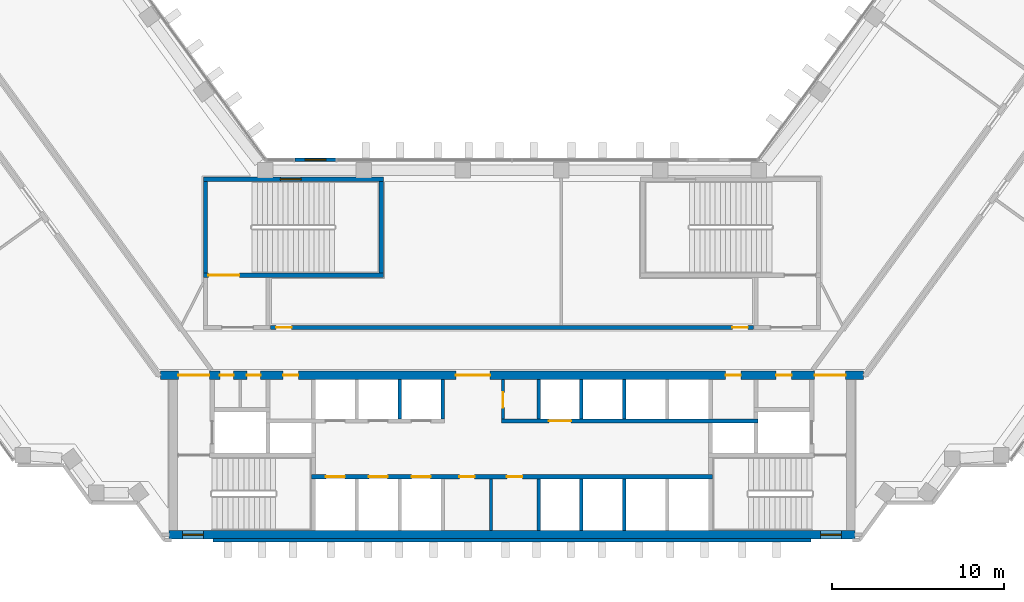
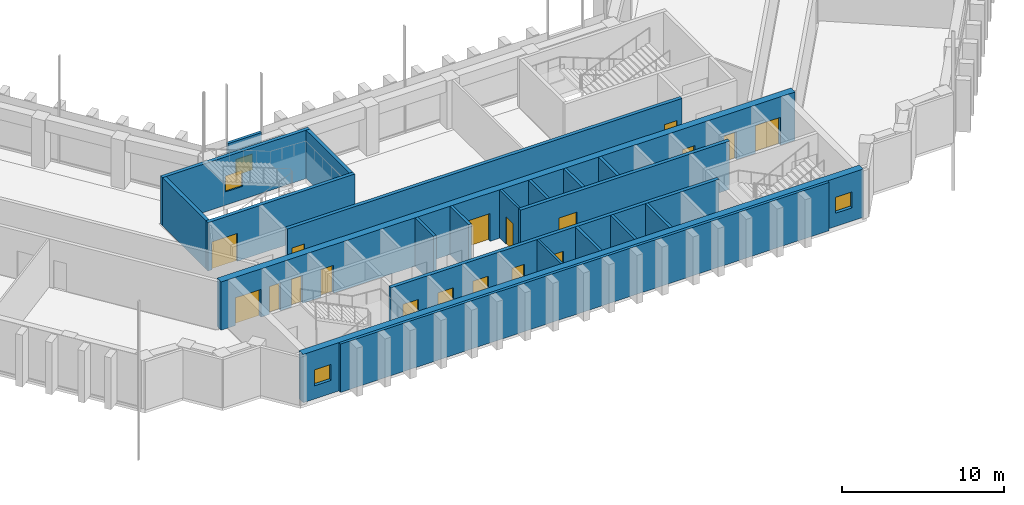
# One storey, part 10 of 16: 21 walls, 18 doors, 4 windows, 22 openings.
"""IFC4 building model written with IfcOpenShell, lengths in metres."""

from ifc_helpers import new_model, si_unit, direction, frame, frame_2d, origin, place, context, subcontext, project, spatial, rectangle, extrude, material, layer, layer_set, type_object, element, fill, save


model = new_model("IFC4")

# Units and contexts
model_context = context("Model", 3, precision=1e-05, world=origin(), true_north=direction((0.0, 1.0)))
body_context = subcontext(model_context, "Body", "Model", "MODEL_VIEW")
ifc_project = project(units=[si_unit("LENGTHUNIT", "METRE"), si_unit("AREAUNIT", "SQUARE_METRE"), si_unit("VOLUMEUNIT", "CUBIC_METRE"), si_unit("PLANEANGLEUNIT", "RADIAN"), si_unit("MASSUNIT", "GRAM", prefix="KILO")], contexts=[model_context])

# Site, building, storey
site_placement = place(None, origin())
site = spatial("IfcSite", under=ifc_project, at=site_placement, CompositionType="ELEMENT")
building_placement = place(site_placement, origin())
building = spatial("IfcBuilding", under=site, at=building_placement, Name="Quipu Civic Tower", CompositionType="ELEMENT")
storey_placement = place(building_placement, frame((0.0, 0.0, 113.0)))
storey = spatial("IfcBuildingStorey", under=building, at=storey_placement, Name="L26", CompositionType="ELEMENT", Elevation=113.0)

# Wall, openings, doors
ifc_material_1 = material(Name="Concrete C70/85", Category="concrete")
ifc_layer_1 = layer(ifc_material_1, 0.25)
ifc_layer_set_1 = layer_set([ifc_layer_1], Name="Concrete C70/85")
wall_type_1 = type_object("IfcWallType", Name="Core wall 250", PredefinedType="SHEAR", material=ifc_layer_set_1)
wall_1_placement = place(storey_placement, frame((11.699951171875, -7.375, 0.0), z_axis=(0.0, 0.0, 1.0), x_axis=(-1.0, 0.0, 0.0)))
wall_1 = element("IfcWall", 1, at=wall_1_placement, inside=storey, type_object=wall_type_1, Name="Core wall", PredefinedType="SHEAR", context=body_context, shape_type="SweptSolid", body=[
    extrude(rectangle(XDim=23.39990234375, YDim=0.25, at=frame_2d((11.699951171875, 0.0))), origin(), (0.0, 0.0, 1.0), 3.64990234375),
])
opening_1_placement = place(wall_1_placement, frame((21.449951171875, 0.0, 0.0)))
opening_1 = element("IfcOpeningElement", 2, at=opening_1_placement, cuts=wall_1, Name="Opening LD-LL1", PredefinedType="OPENING", context=body_context, shape_type="SweptSolid", body=[
    extrude(rectangle(XDim=1.10009765625, YDim=2.10009765625, at=frame_2d((0.550048828125, 1.050048828125))), frame((0.0, 0.135009765625, 0.0), z_axis=(0.0, -1.0, 0.0), x_axis=(1.0, 0.0, 0.0)), (0.0, 0.0, 1.0), 0.27001953125),
])
opening_2_placement = place(wall_1_placement, frame((18.949951171875, 0.0, 0.0)))
opening_2 = element("IfcOpeningElement", 3, at=opening_2_placement, cuts=wall_1, Name="Opening LD-LL2", PredefinedType="OPENING", context=body_context, shape_type="SweptSolid", body=[
    extrude(rectangle(XDim=1.10009765625, YDim=2.10009765625, at=frame_2d((0.550048828125, 1.050048828125))), frame((0.0, 0.135009765625, 0.0), z_axis=(0.0, -1.0, 0.0), x_axis=(1.0, 0.0, 0.0)), (0.0, 0.0, 1.0), 0.27001953125),
])
opening_3_placement = place(wall_1_placement, frame((16.449951171875, 0.0, 0.0)))
opening_3 = element("IfcOpeningElement", 4, at=opening_3_placement, cuts=wall_1, Name="Opening LD-LL3", PredefinedType="OPENING", context=body_context, shape_type="SweptSolid", body=[
    extrude(rectangle(XDim=1.10009765625, YDim=2.10009765625, at=frame_2d((0.550048828125, 1.050048828125))), frame((0.0, 0.135009765625, 0.0), z_axis=(0.0, -1.0, 0.0), x_axis=(1.0, 0.0, 0.0)), (0.0, 0.0, 1.0), 0.27001953125),
])
opening_4_placement = place(wall_1_placement, frame((13.875, 0.0, 0.0)))
opening_4 = element("IfcOpeningElement", 5, at=opening_4_placement, cuts=wall_1, Name="Opening CD-01", PredefinedType="OPENING", context=body_context, shape_type="SweptSolid", body=[
    extrude(rectangle(XDim=0.89990234375, YDim=2.10009765625, at=frame_2d((0.449951171875, 1.050048828125))), frame((0.0, 0.135009765625, 0.0), z_axis=(0.0, -1.0, 0.0), x_axis=(1.0, 0.0, 0.0)), (0.0, 0.0, 1.0), 0.27001953125),
])
opening_5_placement = place(wall_1_placement, frame((11.10009765625, 0.0, 0.0)))
opening_5 = element("IfcOpeningElement", 6, at=opening_5_placement, cuts=wall_1, Name="Opening CD-02", PredefinedType="OPENING", context=body_context, shape_type="SweptSolid", body=[
    extrude(rectangle(XDim=0.89990234375, YDim=2.10009765625, at=frame_2d((0.449951171875, 1.050048828125))), frame((0.0, 0.135009765625, 0.0), z_axis=(0.0, -1.0, 0.0), x_axis=(1.0, 0.0, 0.0)), (0.0, 0.0, 1.0), 0.27001953125),
])
ifc_material_2 = material(Name="Fire rated steel door", Category="steel")
door_type_1 = type_object("IfcDoorType", Name="Fire door FD60 900 x 2100", OperationType="NOTDEFINED", PredefinedType="DOOR", material=ifc_material_2)
door_1_placement = place(opening_4_placement, origin())
door_1 = element("IfcDoor", 7, at=door_1_placement, inside=storey, type_object=door_type_1, Name="WC door", OperationType="SINGLE_SWING_RIGHT", OverallHeight=2.10009765625, OverallWidth=0.89990234375, PredefinedType="DOOR", context=body_context, shape_type="SweptSolid", body=[
    extrude(rectangle(XDim=0.89990234375, YDim=2.10009765625, at=frame_2d((0.449951171875, 1.050048828125))), frame((0.0, 0.02490234375, 0.0), z_axis=(0.0, -1.0, 0.0), x_axis=(1.0, 0.0, 0.0)), (0.0, 0.0, 1.0), 0.050048828125),
])
fill(opening_4, door_1)
door_2_placement = place(opening_5_placement, origin())
door_2 = element("IfcDoor", 8, at=door_2_placement, inside=storey, type_object=door_type_1, Name="WC door", OperationType="SINGLE_SWING_LEFT", OverallHeight=2.10009765625, OverallWidth=0.89990234375, PredefinedType="DOOR", context=body_context, shape_type="SweptSolid", body=[
    extrude(rectangle(XDim=0.89990234375, YDim=2.10009765625, at=frame_2d((0.449951171875, 1.050048828125))), frame((0.0, 0.02490234375, 0.0), z_axis=(0.0, -1.0, 0.0), x_axis=(1.0, 0.0, 0.0)), (0.0, 0.0, 1.0), 0.050048828125),
])
fill(opening_5, door_2)
ifc_material_3 = material(Name="Stainless steel", Category="steel")
door_type_2 = type_object("IfcDoorType", Name="Lift landing door 1100 x 2100", OperationType="DOUBLE_DOOR_SLIDING", PredefinedType="DOOR", material=ifc_material_3)
door_3_placement = place(opening_1_placement, origin())
door_3 = element("IfcDoor", 9, at=door_3_placement, inside=storey, type_object=door_type_2, Name="Landing door LL1", OperationType="DOUBLE_DOOR_SLIDING", OverallHeight=2.10009765625, OverallWidth=1.10009765625, PredefinedType="DOOR", context=body_context, shape_type="SweptSolid", body=[
    extrude(rectangle(XDim=1.10009765625, YDim=2.10009765625, at=frame_2d((0.550048828125, 1.050048828125))), frame((0.0, 0.02490234375, 0.0), z_axis=(0.0, -1.0, 0.0), x_axis=(1.0, 0.0, 0.0)), (0.0, 0.0, 1.0), 0.050048828125),
])
fill(opening_1, door_3)
door_4_placement = place(opening_2_placement, origin())
door_4 = element("IfcDoor", 10, at=door_4_placement, inside=storey, type_object=door_type_2, Name="Landing door LL2", OperationType="DOUBLE_DOOR_SLIDING", OverallHeight=2.10009765625, OverallWidth=1.10009765625, PredefinedType="DOOR", context=body_context, shape_type="SweptSolid", body=[
    extrude(rectangle(XDim=1.10009765625, YDim=2.10009765625, at=frame_2d((0.550048828125, 1.050048828125))), frame((0.0, 0.02490234375, 0.0), z_axis=(0.0, -1.0, 0.0), x_axis=(1.0, 0.0, 0.0)), (0.0, 0.0, 1.0), 0.050048828125),
])
fill(opening_2, door_4)
door_5_placement = place(opening_3_placement, origin())
door_5 = element("IfcDoor", 11, at=door_5_placement, inside=storey, type_object=door_type_2, Name="Landing door LL3", OperationType="DOUBLE_DOOR_SLIDING", OverallHeight=2.10009765625, OverallWidth=1.10009765625, PredefinedType="DOOR", context=body_context, shape_type="SweptSolid", body=[
    extrude(rectangle(XDim=1.10009765625, YDim=2.10009765625, at=frame_2d((0.550048828125, 1.050048828125))), frame((0.0, 0.02490234375, 0.0), z_axis=(0.0, -1.0, 0.0), x_axis=(1.0, 0.0, 0.0)), (0.0, 0.0, 1.0), 0.050048828125),
])
fill(opening_3, door_5)

# Wall, opening, door
wall_2_placement = place(storey_placement, frame((-0.60009765625, -4.125, 0.0), z_axis=(0.0, 0.0, 1.0), x_axis=(1.0, 0.0, 0.0)))
wall_2 = element("IfcWall", 12, at=wall_2_placement, inside=storey, type_object=wall_type_1, Name="Core wall", PredefinedType="SHEAR", context=body_context, shape_type="SweptSolid", body=[
    extrude(rectangle(XDim=14.9501953125, YDim=0.25, at=frame_2d((7.47509765625, 0.0))), origin(), (0.0, 0.0, 1.0), 3.64990234375),
])
opening_6_placement = place(wall_2_placement, frame((2.75, 0.0, 0.0)))
opening_6 = element("IfcOpeningElement", 13, at=opening_6_placement, cuts=wall_2, Name="Opening LD-FF3", PredefinedType="OPENING", context=body_context, shape_type="SweptSolid", body=[
    extrude(rectangle(XDim=1.300048828125, YDim=2.10009765625, at=frame_2d((0.64990234375, 1.050048828125))), frame((0.0, 0.135009765625, 0.0), z_axis=(0.0, -1.0, 0.0), x_axis=(1.0, 0.0, 0.0)), (0.0, 0.0, 1.0), 0.27001953125),
])
ifc_material_4 = material(Name="Stainless steel", Category="steel")
door_type_3 = type_object("IfcDoorType", Name="Lift landing door 1300 x 2100", OperationType="DOUBLE_DOOR_SLIDING", PredefinedType="DOOR", material=ifc_material_4)
door_6_placement = place(opening_6_placement, origin())
door_6 = element("IfcDoor", 14, at=door_6_placement, inside=storey, type_object=door_type_3, Name="Landing door FF3", OperationType="DOUBLE_DOOR_SLIDING", OverallHeight=2.10009765625, OverallWidth=1.300048828125, PredefinedType="DOOR", context=body_context, shape_type="SweptSolid", body=[
    extrude(rectangle(XDim=1.300048828125, YDim=2.10009765625, at=frame_2d((0.64990234375, 1.050048828125))), frame((0.0, 0.02490234375, 0.0), z_axis=(0.0, -1.0, 0.0), x_axis=(1.0, 0.0, 0.0)), (0.0, 0.0, 1.0), 0.050048828125),
])
fill(opening_6, door_6)

wall_3_placement = place(storey_placement, frame((-18.0, 4.375, 0.0), z_axis=(0.0, 0.0, 1.0), x_axis=(1.0, 0.0, 0.0)))
wall_3 = element("IfcWall", 15, at=wall_3_placement, inside=storey, type_object=wall_type_1, Name="Core wall", PredefinedType="SHEAR", context=body_context, shape_type="SweptSolid", body=[
    extrude(rectangle(XDim=10.5, YDim=0.25, at=frame_2d((5.25, 0.0))), origin(), (0.0, 0.0, 1.0), 3.64990234375),
])
opening_7_placement = place(wall_3_placement, frame((0.300048828125, 0.0, 0.0)))
opening_7 = element("IfcOpeningElement", 16, at=opening_7_placement, cuts=wall_3, Name="Opening CD-15", PredefinedType="OPENING", context=body_context, shape_type="SweptSolid", body=[
    extrude(rectangle(XDim=1.800048828125, YDim=2.10009765625, at=frame_2d((0.89990234375, 1.050048828125))), frame((0.0, 0.135009765625, 0.0), z_axis=(0.0, -1.0, 0.0), x_axis=(1.0, 0.0, 0.0)), (0.0, 0.0, 1.0), 0.27001953125),
])
ifc_material_5 = material(Name="Fire rated steel door", Category="steel")
door_type_4 = type_object("IfcDoorType", Name="Fire door FD90 double 1800 x 2100", OperationType="NOTDEFINED", PredefinedType="DOOR", material=ifc_material_5)
door_7_placement = place(opening_7_placement, origin())
door_7 = element("IfcDoor", 17, at=door_7_placement, inside=storey, type_object=door_type_4, Name="Door", OperationType="DOUBLE_DOOR_SINGLE_SWING", OverallHeight=2.10009765625, OverallWidth=1.800048828125, PredefinedType="DOOR", context=body_context, shape_type="SweptSolid", body=[
    extrude(rectangle(XDim=1.800048828125, YDim=2.10009765625, at=frame_2d((0.89990234375, 1.050048828125))), frame((0.0, 0.02490234375, 0.0), z_axis=(0.0, -1.0, 0.0), x_axis=(1.0, 0.0, 0.0)), (0.0, 0.0, 1.0), 0.050048828125),
])
fill(opening_7, door_7)

# Walls
for number, where, z_axis, x_axis, name in (
    (18, (-17.875, 4.5, 0.0), (0.0, 0.0, 1.0), (0.0, 1.0, 0.0), "Core wall"),
    (19, (-7.625, 4.5, 0.0), (0.0, 0.0, 1.0), (0.0, 1.0, 0.0), "Core wall"),
):
    element("IfcWall", number, at=place(storey_placement, frame(where, z_axis=z_axis, x_axis=x_axis)), inside=storey, type_object=wall_type_1, Name=name, PredefinedType="SHEAR", context=body_context, shape_type="SweptSolid", body=[
        extrude(rectangle(XDim=5.35009765625, YDim=0.25, at=frame_2d((2.675048828125, 0.0))), origin(), (0.0, 0.0, 1.0), 3.64990234375),
    ])

# Wall, opening, window
wall_4_placement = place(storey_placement, frame((-18.0, 9.97509765625, 0.0), z_axis=(0.0, 0.0, 1.0), x_axis=(1.0, 0.0, 0.0)))
wall_4 = element("IfcWall", 20, at=wall_4_placement, inside=storey, type_object=wall_type_1, Name="Core wall", PredefinedType="SHEAR", context=body_context, shape_type="SweptSolid", body=[
    extrude(rectangle(XDim=10.5, YDim=0.25, at=frame_2d((5.25, 0.0))), origin(), (0.0, 0.0, 1.0), 3.64990234375),
])
opening_8_placement = place(wall_4_placement, frame((4.5, 0.0, 1.0)))
opening_8 = element("IfcOpeningElement", 21, at=opening_8_placement, cuts=wall_4, Name="Opening SV-3", PredefinedType="OPENING", context=body_context, shape_type="SweptSolid", body=[
    extrude(rectangle(XDim=1.199951171875, YDim=1.199951171875, at=frame_2d((0.60009765625, 0.60009765625))), frame((0.0, 0.135009765625, 0.0), z_axis=(0.0, -1.0, 0.0), x_axis=(1.0, 0.0, 0.0)), (0.0, 0.0, 1.0), 0.27001953125),
])
ifc_material_6 = material(Name="Aluminium louvre", Category="aluminium")
window_type_1 = type_object("IfcWindowType", Name="Stair ventilation louvre 1200 x 1200", PartitioningType="SINGLE_PANEL", PredefinedType="WINDOW", material=ifc_material_6)
window_1_placement = place(opening_8_placement, origin())
window_1 = element("IfcWindow", 22, at=window_1_placement, inside=storey, type_object=window_type_1, Name="Stair ventilation opening", OverallHeight=1.199951171875, OverallWidth=1.199951171875, PartitioningType="SINGLE_PANEL", PredefinedType="WINDOW", context=body_context, shape_type="SweptSolid", body=[
    extrude(rectangle(XDim=1.199951171875, YDim=1.199951171875, at=frame_2d((0.60009765625, 0.60009765625))), frame((0.0, 0.030029296875, 0.0), z_axis=(0.0, -1.0, 0.0), x_axis=(1.0, 0.0, 0.0)), (0.0, 0.0, 1.0), 0.06005859375),
])
fill(opening_8, window_1)

# Wall, openings, windows
ifc_material_7 = material(Name="Concrete C70/85", Category="concrete")
ifc_layer_2 = layer(ifc_material_7, 0.5)
ifc_layer_set_2 = layer_set([ifc_layer_2], Name="Concrete C70/85")
wall_type_2 = type_object("IfcWallType", Name="Core wall 500", PredefinedType="SHEAR", material=ifc_layer_set_2)
wall_5_placement = place(storey_placement, frame((-20.0, -10.75, 0.0), z_axis=(0.0, 0.0, 1.0), x_axis=(1.0, 0.0, 0.0)))
wall_5 = element("IfcWall", 23, at=wall_5_placement, inside=storey, type_object=wall_type_2, Name="Core wall", PredefinedType="SHEAR", context=body_context, shape_type="SweptSolid", body=[
    extrude(rectangle(XDim=40.0, YDim=0.5, at=frame_2d((20.0, 0.0))), origin(), (0.0, 0.0, 1.0), 3.64990234375),
])
opening_9_placement = place(wall_5_placement, frame((0.800048828125, 0.0, 1.0)))
opening_9 = element("IfcOpeningElement", 24, at=opening_9_placement, cuts=wall_5, Name="Opening SV-1", PredefinedType="OPENING", context=body_context, shape_type="SweptSolid", body=[
    extrude(rectangle(XDim=1.199951171875, YDim=1.199951171875, at=frame_2d((0.60009765625, 0.60009765625))), frame((0.0, 0.260009765625, 0.0), z_axis=(0.0, -1.0, 0.0), x_axis=(1.0, 0.0, 0.0)), (0.0, 0.0, 1.0), 0.52001953125),
])
opening_10_placement = place(wall_5_placement, frame((38.0, 0.0, 1.0)))
opening_10 = element("IfcOpeningElement", 25, at=opening_10_placement, cuts=wall_5, Name="Opening SV-2", PredefinedType="OPENING", context=body_context, shape_type="SweptSolid", body=[
    extrude(rectangle(XDim=1.199951171875, YDim=1.199951171875, at=frame_2d((0.60009765625, 0.60009765625))), frame((0.0, 0.260009765625, 0.0), z_axis=(0.0, -1.0, 0.0), x_axis=(1.0, 0.0, 0.0)), (0.0, 0.0, 1.0), 0.52001953125),
])
window_2_placement = place(opening_9_placement, origin())
window_2 = element("IfcWindow", 26, at=window_2_placement, inside=storey, type_object=window_type_1, Name="Stair ventilation opening", OverallHeight=1.199951171875, OverallWidth=1.199951171875, PartitioningType="SINGLE_PANEL", PredefinedType="WINDOW", context=body_context, shape_type="SweptSolid", body=[
    extrude(rectangle(XDim=1.199951171875, YDim=1.199951171875, at=frame_2d((0.60009765625, 0.60009765625))), frame((0.0, 0.030029296875, 0.0), z_axis=(0.0, -1.0, 0.0), x_axis=(1.0, 0.0, 0.0)), (0.0, 0.0, 1.0), 0.06005859375),
])
fill(opening_9, window_2)
window_3_placement = place(opening_10_placement, origin())
window_3 = element("IfcWindow", 27, at=window_3_placement, inside=storey, type_object=window_type_1, Name="Stair ventilation opening", OverallHeight=1.199951171875, OverallWidth=1.199951171875, PartitioningType="SINGLE_PANEL", PredefinedType="WINDOW", context=body_context, shape_type="SweptSolid", body=[
    extrude(rectangle(XDim=1.199951171875, YDim=1.199951171875, at=frame_2d((0.60009765625, 0.60009765625))), frame((0.0, 0.030029296875, 0.0), z_axis=(0.0, -1.0, 0.0), x_axis=(1.0, 0.0, 0.0)), (0.0, 0.0, 1.0), 0.06005859375),
])
fill(opening_10, window_3)

# Wall, openings, doors
wall_6_placement = place(storey_placement, frame((20.489990234375, -1.449951171875, 0.0), z_axis=(0.0, 0.0, 1.0), x_axis=(-1.0, 0.0, 0.0)))
wall_6 = element("IfcWall", 28, at=wall_6_placement, inside=storey, type_object=wall_type_2, Name="Core wall", PredefinedType="SHEAR", context=body_context, shape_type="SweptSolid", body=[
    extrude(rectangle(XDim=40.97998046875, YDim=0.5, at=frame_2d((20.489990234375, 0.0))), origin(), (0.0, 0.0, 1.0), 3.64990234375),
])
opening_11_placement = place(wall_6_placement, frame((38.139892578125, 0.0, 0.0)))
opening_11 = element("IfcOpeningElement", 29, at=opening_11_placement, cuts=wall_6, Name="Opening CD-06", PredefinedType="OPENING", context=body_context, shape_type="SweptSolid", body=[
    extrude(rectangle(XDim=1.800048828125, YDim=2.10009765625, at=frame_2d((0.89990234375, 1.050048828125))), frame((0.0, 0.260009765625, 0.0), z_axis=(0.0, -1.0, 0.0), x_axis=(1.0, 0.0, 0.0)), (0.0, 0.0, 1.0), 0.52001953125),
])
opening_12_placement = place(wall_6_placement, frame((36.7275390625, 0.0, 0.0)))
opening_12 = element("IfcOpeningElement", 30, at=opening_12_placement, cuts=wall_6, Name="Opening CD-07", PredefinedType="OPENING", context=body_context, shape_type="SweptSolid", body=[
    extrude(rectangle(XDim=0.800048828125, YDim=2.10009765625, at=frame_2d((0.39990234375, 1.050048828125))), frame((0.0, 0.260009765625, 0.0), z_axis=(0.0, -1.0, 0.0), x_axis=(1.0, 0.0, 0.0)), (0.0, 0.0, 1.0), 0.52001953125),
])
opening_13_placement = place(wall_6_placement, frame((35.152587890625, 0.0, 0.0)))
opening_13 = element("IfcOpeningElement", 31, at=opening_13_placement, cuts=wall_6, Name="Opening CD-08", PredefinedType="OPENING", context=body_context, shape_type="SweptSolid", body=[
    extrude(rectangle(XDim=0.800048828125, YDim=2.10009765625, at=frame_2d((0.39990234375, 1.050048828125))), frame((0.0, 0.260009765625, 0.0), z_axis=(0.0, -1.0, 0.0), x_axis=(1.0, 0.0, 0.0)), (0.0, 0.0, 1.0), 0.52001953125),
])
opening_14_placement = place(wall_6_placement, frame((32.93994140625, 0.0, 0.0)))
opening_14 = element("IfcOpeningElement", 32, at=opening_14_placement, cuts=wall_6, Name="Opening CD-09", PredefinedType="OPENING", context=body_context, shape_type="SweptSolid", body=[
    extrude(rectangle(XDim=0.89990234375, YDim=2.10009765625, at=frame_2d((0.449951171875, 1.050048828125))), frame((0.0, 0.260009765625, 0.0), z_axis=(0.0, -1.0, 0.0), x_axis=(1.0, 0.0, 0.0)), (0.0, 0.0, 1.0), 0.52001953125),
])
opening_15_placement = place(wall_6_placement, frame((21.764892578125, 0.0, 0.0)))
opening_15 = element("IfcOpeningElement", 33, at=opening_15_placement, cuts=wall_6, Name="Opening CD-10", PredefinedType="OPENING", context=body_context, shape_type="SweptSolid", body=[
    extrude(rectangle(XDim=2.0, YDim=2.10009765625, at=frame_2d((1.0, 1.050048828125))), frame((0.0, 0.260009765625, 0.0), z_axis=(0.0, -1.0, 0.0), x_axis=(1.0, 0.0, 0.0)), (0.0, 0.0, 1.0), 0.52001953125),
])
opening_16_placement = place(wall_6_placement, frame((7.139892578125, 0.0, 0.0)))
opening_16 = element("IfcOpeningElement", 34, at=opening_16_placement, cuts=wall_6, Name="Opening CD-11", PredefinedType="OPENING", context=body_context, shape_type="SweptSolid", body=[
    extrude(rectangle(XDim=0.89990234375, YDim=2.10009765625, at=frame_2d((0.449951171875, 1.050048828125))), frame((0.0, 0.260009765625, 0.0), z_axis=(0.0, -1.0, 0.0), x_axis=(1.0, 0.0, 0.0)), (0.0, 0.0, 1.0), 0.52001953125),
])
opening_17_placement = place(wall_6_placement, frame((4.18994140625, 0.0, 0.0)))
opening_17 = element("IfcOpeningElement", 35, at=opening_17_placement, cuts=wall_6, Name="Opening CD-12", PredefinedType="OPENING", context=body_context, shape_type="SweptSolid", body=[
    extrude(rectangle(XDim=0.89990234375, YDim=2.10009765625, at=frame_2d((0.449951171875, 1.050048828125))), frame((0.0, 0.260009765625, 0.0), z_axis=(0.0, -1.0, 0.0), x_axis=(1.0, 0.0, 0.0)), (0.0, 0.0, 1.0), 0.52001953125),
])
opening_18_placement = place(wall_6_placement, frame((1.0400390625, 0.0, 0.0)))
opening_18 = element("IfcOpeningElement", 36, at=opening_18_placement, cuts=wall_6, Name="Opening CD-13", PredefinedType="OPENING", context=body_context, shape_type="SweptSolid", body=[
    extrude(rectangle(XDim=1.800048828125, YDim=2.10009765625, at=frame_2d((0.89990234375, 1.050048828125))), frame((0.0, 0.260009765625, 0.0), z_axis=(0.0, -1.0, 0.0), x_axis=(1.0, 0.0, 0.0)), (0.0, 0.0, 1.0), 0.52001953125),
])
ifc_material_8 = material(Name="Fire rated steel door", Category="steel")
door_type_5 = type_object("IfcDoorType", Name="Fire door FD60 800 x 2100", OperationType="NOTDEFINED", PredefinedType="DOOR", material=ifc_material_8)
door_8_placement = place(opening_12_placement, origin())
door_8 = element("IfcDoor", 37, at=door_8_placement, inside=storey, type_object=door_type_5, Name="Door", OperationType="SINGLE_SWING_RIGHT", OverallHeight=2.10009765625, OverallWidth=0.800048828125, PredefinedType="DOOR", context=body_context, shape_type="SweptSolid", body=[
    extrude(rectangle(XDim=0.800048828125, YDim=2.10009765625, at=frame_2d((0.39990234375, 1.050048828125))), frame((0.0, 0.02490234375, 0.0), z_axis=(0.0, -1.0, 0.0), x_axis=(1.0, 0.0, 0.0)), (0.0, 0.0, 1.0), 0.050048828125),
])
fill(opening_12, door_8)
door_9_placement = place(opening_13_placement, origin())
door_9 = element("IfcDoor", 38, at=door_9_placement, inside=storey, type_object=door_type_5, Name="Door", OperationType="SINGLE_SWING_RIGHT", OverallHeight=2.10009765625, OverallWidth=0.800048828125, PredefinedType="DOOR", context=body_context, shape_type="SweptSolid", body=[
    extrude(rectangle(XDim=0.800048828125, YDim=2.10009765625, at=frame_2d((0.39990234375, 1.050048828125))), frame((0.0, 0.02490234375, 0.0), z_axis=(0.0, -1.0, 0.0), x_axis=(1.0, 0.0, 0.0)), (0.0, 0.0, 1.0), 0.050048828125),
])
fill(opening_13, door_9)
door_10_placement = place(opening_14_placement, origin())
door_10 = element("IfcDoor", 39, at=door_10_placement, inside=storey, type_object=door_type_1, Name="Riser door", OperationType="SINGLE_SWING_RIGHT", OverallHeight=2.10009765625, OverallWidth=0.89990234375, PredefinedType="DOOR", context=body_context, shape_type="SweptSolid", body=[
    extrude(rectangle(XDim=0.89990234375, YDim=2.10009765625, at=frame_2d((0.449951171875, 1.050048828125))), frame((0.0, 0.02490234375, 0.0), z_axis=(0.0, -1.0, 0.0), x_axis=(1.0, 0.0, 0.0)), (0.0, 0.0, 1.0), 0.050048828125),
])
fill(opening_14, door_10)
door_11_placement = place(opening_16_placement, origin())
door_11 = element("IfcDoor", 40, at=door_11_placement, inside=storey, type_object=door_type_1, Name="Riser door", OperationType="SINGLE_SWING_LEFT", OverallHeight=2.10009765625, OverallWidth=0.89990234375, PredefinedType="DOOR", context=body_context, shape_type="SweptSolid", body=[
    extrude(rectangle(XDim=0.89990234375, YDim=2.10009765625, at=frame_2d((0.449951171875, 1.050048828125))), frame((0.0, 0.02490234375, 0.0), z_axis=(0.0, -1.0, 0.0), x_axis=(1.0, 0.0, 0.0)), (0.0, 0.0, 1.0), 0.050048828125),
])
fill(opening_16, door_11)
door_12_placement = place(opening_17_placement, origin())
door_12 = element("IfcDoor", 41, at=door_12_placement, inside=storey, type_object=door_type_1, Name="Door", OperationType="SINGLE_SWING_LEFT", OverallHeight=2.10009765625, OverallWidth=0.89990234375, PredefinedType="DOOR", context=body_context, shape_type="SweptSolid", body=[
    extrude(rectangle(XDim=0.89990234375, YDim=2.10009765625, at=frame_2d((0.449951171875, 1.050048828125))), frame((0.0, 0.02490234375, 0.0), z_axis=(0.0, -1.0, 0.0), x_axis=(1.0, 0.0, 0.0)), (0.0, 0.0, 1.0), 0.050048828125),
])
fill(opening_17, door_12)
door_13_placement = place(opening_11_placement, origin())
door_13 = element("IfcDoor", 42, at=door_13_placement, inside=storey, type_object=door_type_4, Name="Lobby door", OperationType="DOUBLE_DOOR_SINGLE_SWING", OverallHeight=2.10009765625, OverallWidth=1.800048828125, PredefinedType="DOOR", context=body_context, shape_type="SweptSolid", body=[
    extrude(rectangle(XDim=1.800048828125, YDim=2.10009765625, at=frame_2d((0.89990234375, 1.050048828125))), frame((0.0, 0.02490234375, 0.0), z_axis=(0.0, -1.0, 0.0), x_axis=(1.0, 0.0, 0.0)), (0.0, 0.0, 1.0), 0.050048828125),
])
fill(opening_11, door_13)
door_14_placement = place(opening_18_placement, origin())
door_14 = element("IfcDoor", 43, at=door_14_placement, inside=storey, type_object=door_type_4, Name="Lobby door", OperationType="DOUBLE_DOOR_SINGLE_SWING", OverallHeight=2.10009765625, OverallWidth=1.800048828125, PredefinedType="DOOR", context=body_context, shape_type="SweptSolid", body=[
    extrude(rectangle(XDim=1.800048828125, YDim=2.10009765625, at=frame_2d((0.89990234375, 1.050048828125))), frame((0.0, 0.02490234375, 0.0), z_axis=(0.0, -1.0, 0.0), x_axis=(1.0, 0.0, 0.0)), (0.0, 0.0, 1.0), 0.050048828125),
])
fill(opening_18, door_14)
ifc_material_9 = material(Name="Fire rated steel door", Category="steel")
door_type_6 = type_object("IfcDoorType", Name="Fire door FD90 double 2000 x 2100", OperationType="NOTDEFINED", PredefinedType="DOOR", material=ifc_material_9)
door_15_placement = place(opening_15_placement, origin())
door_15 = element("IfcDoor", 44, at=door_15_placement, inside=storey, type_object=door_type_6, Name="Lobby door", OperationType="DOUBLE_DOOR_SINGLE_SWING", OverallHeight=2.10009765625, OverallWidth=2.0, PredefinedType="DOOR", context=body_context, shape_type="SweptSolid", body=[
    extrude(rectangle(XDim=2.0, YDim=2.10009765625, at=frame_2d((1.0, 1.050048828125))), frame((0.0, 0.02490234375, 0.0), z_axis=(0.0, -1.0, 0.0), x_axis=(1.0, 0.0, 0.0)), (0.0, 0.0, 1.0), 0.050048828125),
])
fill(opening_15, door_15)

ifc_material_10 = material(Name="Concrete C50/60", Category="concrete")
ifc_layer_3 = layer(ifc_material_10, 0.25)
ifc_layer_set_3 = layer_set([ifc_layer_3], Name="Concrete C50/60")
wall_type_3 = type_object("IfcWallType", Name="Corridor wall 250 concrete", PredefinedType="SOLIDWALL", material=ifc_layer_set_3)
wall_7_placement = place(storey_placement, frame((-14.090087890625, 1.324951171875, 0.0), z_axis=(0.0, 0.0, 1.0), x_axis=(1.0, 0.0, 0.0)))
wall_7 = element("IfcWall", 45, at=wall_7_placement, inside=storey, type_object=wall_type_3, Name="Corridor wall C05", PredefinedType="SOLIDWALL", context=body_context, shape_type="SweptSolid", body=[
    extrude(rectangle(XDim=28.18017578125, YDim=0.25, at=frame_2d((14.090087890625, 0.0))), origin(), (0.0, 0.0, 1.0), 3.64990234375),
])
opening_19_placement = place(wall_7_placement, frame((0.340087890625, 0.0, 0.0)))
opening_19 = element("IfcOpeningElement", 46, at=opening_19_placement, cuts=wall_7, Name="Opening D006", PredefinedType="OPENING", context=body_context, shape_type="SweptSolid", body=[
    extrude(rectangle(XDim=0.89990234375, YDim=2.10009765625, at=frame_2d((0.449951171875, 1.050048828125))), frame((0.0, 0.135009765625, 0.0), z_axis=(0.0, -1.0, 0.0), x_axis=(1.0, 0.0, 0.0)), (0.0, 0.0, 1.0), 0.27001953125),
])
opening_20_placement = place(wall_7_placement, frame((26.93994140625, 0.0, 0.0)))
opening_20 = element("IfcOpeningElement", 47, at=opening_20_placement, cuts=wall_7, Name="Opening D007", PredefinedType="OPENING", context=body_context, shape_type="SweptSolid", body=[
    extrude(rectangle(XDim=0.89990234375, YDim=2.10009765625, at=frame_2d((0.449951171875, 1.050048828125))), frame((0.0, 0.135009765625, 0.0), z_axis=(0.0, -1.0, 0.0), x_axis=(1.0, 0.0, 0.0)), (0.0, 0.0, 1.0), 0.27001953125),
])
ifc_material_11 = material(Name="Fire rated timber door set with metal frame", Category="wood")
door_type_7 = type_object("IfcDoorType", Name="Single door 900 x 2100 FD60", OperationType="NOTDEFINED", PredefinedType="DOOR", material=ifc_material_11)
door_16_placement = place(opening_19_placement, origin())
door_16 = element("IfcDoor", 48, at=door_16_placement, inside=storey, type_object=door_type_7, Name="Door D006", OperationType="SINGLE_SWING_LEFT", OverallHeight=2.10009765625, OverallWidth=0.89990234375, PredefinedType="DOOR", context=body_context, shape_type="SweptSolid", body=[
    extrude(rectangle(XDim=0.89990234375, YDim=2.10009765625, at=frame_2d((0.449951171875, 1.050048828125))), frame((0.0, 0.02490234375, 0.0), z_axis=(0.0, -1.0, 0.0), x_axis=(1.0, 0.0, 0.0)), (0.0, 0.0, 1.0), 0.050048828125),
])
fill(opening_19, door_16)
door_17_placement = place(opening_20_placement, origin())
door_17 = element("IfcDoor", 49, at=door_17_placement, inside=storey, type_object=door_type_7, Name="Door D007", OperationType="SINGLE_SWING_RIGHT", OverallHeight=2.10009765625, OverallWidth=0.89990234375, PredefinedType="DOOR", context=body_context, shape_type="SweptSolid", body=[
    extrude(rectangle(XDim=0.89990234375, YDim=2.10009765625, at=frame_2d((0.449951171875, 1.050048828125))), frame((0.0, 0.02490234375, 0.0), z_axis=(0.0, -1.0, 0.0), x_axis=(1.0, 0.0, 0.0)), (0.0, 0.0, 1.0), 0.050048828125),
])
fill(opening_20, door_17)

# Wall
ifc_material_12 = material(Name="Gypsum board partition")
ifc_layer_4 = layer(ifc_material_12, 0.14990234375)
ifc_layer_set_4 = layer_set([ifc_layer_4], Name="Gypsum board partition")
wall_type_4 = type_object("IfcWallType", Name="Partition 150", PredefinedType="PARTITIONING", material=ifc_layer_set_4)
wall_8_placement = place(storey_placement, frame((-1.22509765625, -10.5, 0.0), z_axis=(0.0, 0.0, 1.0), x_axis=(0.0, 1.0, 0.0)))
element("IfcWall", 50, at=wall_8_placement, inside=storey, type_object=wall_type_4, Name="Partition", PredefinedType="PARTITIONING", context=body_context, shape_type="SweptSolid", body=[
    extrude(rectangle(XDim=3.0, YDim=0.14990234375, at=frame_2d((1.5, 0.0))), origin(), (0.0, 0.0, 1.0), 3.64990234375),
])

# Wall, opening, door
wall_9_placement = place(storey_placement, frame((-0.52490234375, -4.0, 0.0), z_axis=(0.0, 0.0, 1.0), x_axis=(0.0, 1.0, 0.0)))
wall_9 = element("IfcWall", 51, at=wall_9_placement, inside=storey, type_object=wall_type_4, Name="Partition", PredefinedType="PARTITIONING", context=body_context, shape_type="SweptSolid", body=[
    extrude(rectangle(XDim=2.300048828125, YDim=0.14990234375, at=frame_2d((1.14990234375, 0.0))), origin(), (0.0, 0.0, 1.0), 3.64990234375),
])
opening_21_placement = place(wall_9_placement, frame((0.64990234375, 0.0, 0.0)))
opening_21 = element("IfcOpeningElement", 52, at=opening_21_placement, cuts=wall_9, Name="Opening CD-05", PredefinedType="OPENING", context=body_context, shape_type="SweptSolid", body=[
    extrude(rectangle(XDim=0.89990234375, YDim=2.10009765625, at=frame_2d((0.449951171875, 1.050048828125))), frame((0.0, 0.0849609375, 0.0), z_axis=(0.0, -1.0, 0.0), x_axis=(1.0, 0.0, 0.0)), (0.0, 0.0, 1.0), 0.169921875),
])
door_18_placement = place(opening_21_placement, origin())
door_18 = element("IfcDoor", 53, at=door_18_placement, inside=storey, type_object=door_type_1, Name="WC door", OperationType="SINGLE_SWING_LEFT", OverallHeight=2.10009765625, OverallWidth=0.89990234375, PredefinedType="DOOR", context=body_context, shape_type="SweptSolid", body=[
    extrude(rectangle(XDim=0.89990234375, YDim=2.10009765625, at=frame_2d((0.449951171875, 1.050048828125))), frame((0.0, 0.02490234375, 0.0), z_axis=(0.0, -1.0, 0.0), x_axis=(1.0, 0.0, 0.0)), (0.0, 0.0, 1.0), 0.050048828125),
])
fill(opening_21, door_18)

# Wall
ifc_material_13 = material(Name="Precast concrete C40/50", Category="concrete")
wall_type_5 = type_object("IfcWallType", Name="Precast cladding wall", PredefinedType="SOLIDWALL", material=ifc_material_13)
wall_10_placement = place(storey_placement, frame((-17.44384765625, -11.087890625, 0.0), z_axis=(0.0, 0.0, 1.0), x_axis=(1.0, 0.0, 0.0)))
element("IfcWall", 54, at=wall_10_placement, inside=storey, type_object=wall_type_5, Name="Precast cladding wall L26 P20", PredefinedType="SOLIDWALL", context=body_context, shape_type="SweptSolid", body=[
    extrude(rectangle(XDim=34.8876953125, YDim=0.199951171875, at=frame_2d((17.44384765625, 0.0))), origin(), (0.0, 0.0, 1.0), 3.64990234375),
])

# Wall, opening, window
wall_11_placement = place(storey_placement, frame((-10.263427734375, 11.10009765625, 0.0), z_axis=(0.0, 0.0, 1.0), x_axis=(-1.0, 0.0, 0.0)))
wall_11 = element("IfcWall", 55, at=wall_11_placement, inside=storey, type_object=wall_type_5, Name="Vent surround SF-L25-1", PredefinedType="SOLIDWALL", context=body_context, shape_type="SweptSolid", body=[
    extrude(rectangle(XDim=2.3916015625, YDim=0.199951171875, at=frame_2d((1.19580078125, 0.0))), origin(), (0.0, 0.0, 1.0), 3.64990234375),
])
opening_22_placement = place(wall_11_placement, frame((0.595703125, 0.0, 1.0)))
opening_22 = element("IfcOpeningElement", 56, at=opening_22_placement, cuts=wall_11, Name="Opening SF-L25-1", PredefinedType="OPENING", context=body_context, shape_type="SweptSolid", body=[
    extrude(rectangle(XDim=1.199951171875, YDim=1.199951171875, at=frame_2d((0.60009765625, 0.60009765625))), frame((0.0, 0.10986328125, 0.0), z_axis=(0.0, -1.0, 0.0), x_axis=(1.0, 0.0, 0.0)), (0.0, 0.0, 1.0), 0.219970703125),
])
ifc_material_14 = material(Name="Anodised aluminium louvre", Category="aluminium")
window_type_2 = type_object("IfcWindowType", Name="Stair vent louvre window P3", PartitioningType="SINGLE_PANEL", PredefinedType="WINDOW", material=ifc_material_14)
window_4_placement = place(opening_22_placement, origin())
window_4 = element("IfcWindow", 57, at=window_4_placement, inside=storey, type_object=window_type_2, Name="Stair vent louvre SF-L25-1", OverallHeight=1.199951171875, OverallWidth=1.199951171875, PartitioningType="SINGLE_PANEL", PredefinedType="WINDOW", context=body_context, shape_type="SweptSolid", body=[
    extrude(rectangle(XDim=1.199951171875, YDim=1.199951171875, at=frame_2d((0.60009765625, 0.60009765625))), frame((0.0, 0.030029296875, 0.0), z_axis=(0.0, -1.0, 0.0), x_axis=(1.0, 0.0, 0.0)), (0.0, 0.0, 1.0), 0.06005859375),
])
fill(opening_22, window_4)

# Walls
ifc_material_15 = material(Name="Concrete C40/50", Category="concrete")
ifc_layer_5 = layer(ifc_material_15, 0.199951171875)
ifc_layer_set_5 = layer_set([ifc_layer_5], Name="Concrete C40/50")
wall_type_6 = type_object("IfcWallType", Name="Shaft wall 200", PredefinedType="SOLIDWALL", material=ifc_layer_set_5)
for number, where, z_axis, x_axis, name in (
    (58, (1.550048828125, -10.5, 0.0), (0.0, 0.0, 1.0), (0.0, 1.0, 0.0), "Shaft wall"),
    (59, (4.050048828125, -10.5, 0.0), (0.0, 0.0, 1.0), (0.0, 1.0, 0.0), "Shaft wall"),
    (60, (6.550048828125, -10.5, 0.0), (0.0, 0.0, 1.0), (0.0, 1.0, 0.0), "Shaft wall"),
):
    element("IfcWall", number, at=place(storey_placement, frame(where, z_axis=z_axis, x_axis=x_axis)), inside=storey, type_object=wall_type_6, Name=name, PredefinedType="SOLIDWALL", context=body_context, shape_type="SweptSolid", body=[
        extrude(rectangle(XDim=3.0, YDim=0.199951171875, at=frame_2d((1.5, 0.0))), origin(), (0.0, 0.0, 1.0), 3.64990234375),
    ])
for number, where, z_axis, x_axis, name in (
    (61, (-6.550048828125, -4.0, 0.0), (0.0, 0.0, 1.0), (0.0, 1.0, 0.0), "Shaft wall"),
    (62, (-4.050048828125, -4.0, 0.0), (0.0, 0.0, 1.0), (0.0, 1.0, 0.0), "Shaft wall"),
    (63, (1.550048828125, -4.0, 0.0), (0.0, 0.0, 1.0), (0.0, 1.0, 0.0), "Shaft wall"),
    (64, (4.050048828125, -4.0, 0.0), (0.0, 0.0, 1.0), (0.0, 1.0, 0.0), "Shaft wall"),
    (65, (6.550048828125, -4.0, 0.0), (0.0, 0.0, 1.0), (0.0, 1.0, 0.0), "Shaft wall"),
):
    element("IfcWall", number, at=place(storey_placement, frame(where, z_axis=z_axis, x_axis=x_axis)), inside=storey, type_object=wall_type_6, Name=name, PredefinedType="SOLIDWALL", context=body_context, shape_type="SweptSolid", body=[
        extrude(rectangle(XDim=2.300048828125, YDim=0.199951171875, at=frame_2d((1.14990234375, 0.0))), origin(), (0.0, 0.0, 1.0), 3.64990234375),
    ])

save(model, "model.ifc")
